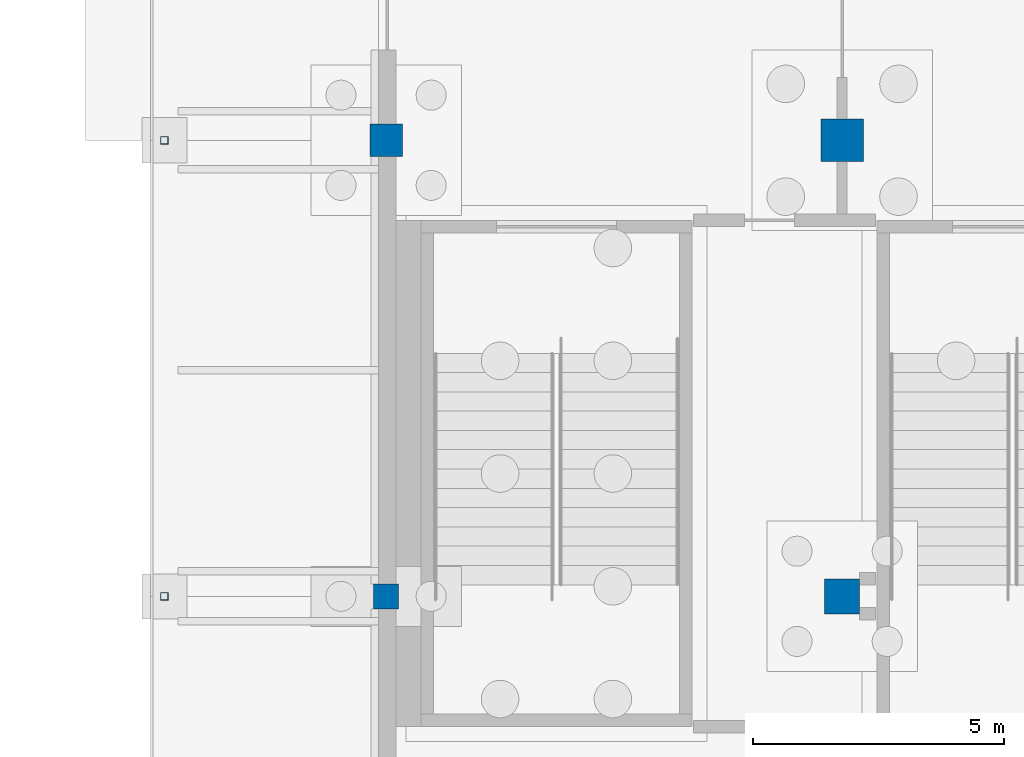
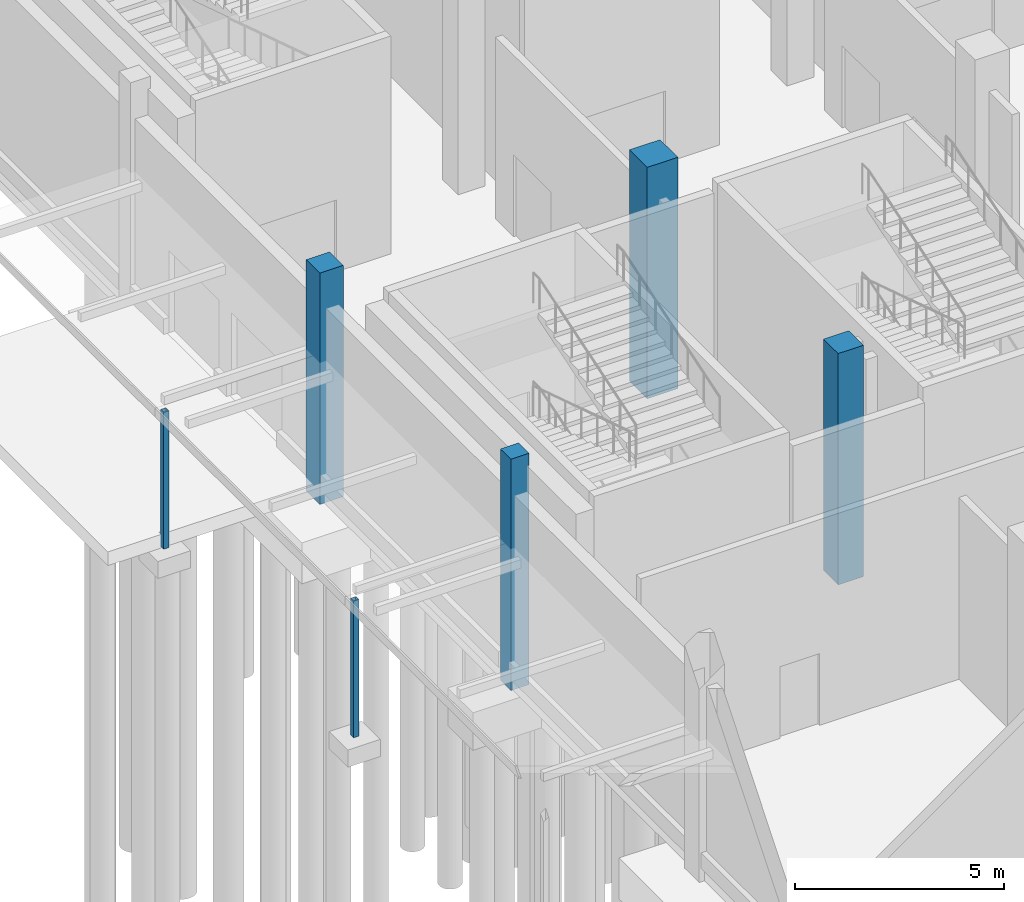
# One storey, part 24 of 129: 6 columns.
"""IFC4 building model written with IfcOpenShell, lengths in metres."""

from ifc_helpers import new_model, si_unit, direction, frame, origin, origin_2d, place, context, subcontext, project, spatial, rectangle, hollow_rectangle, extrude, material, material_profile, profile_set, type_object, element, save


model = new_model("IFC4")

# Units and contexts
model_context = context("Model", 3, precision=1e-05, world=origin(), true_north=direction((0.0, 1.0)))
body_context = subcontext(model_context, "Body", "Model", "MODEL_VIEW")
ifc_project = project(units=[si_unit("LENGTHUNIT", "METRE"), si_unit("AREAUNIT", "SQUARE_METRE"), si_unit("VOLUMEUNIT", "CUBIC_METRE"), si_unit("PLANEANGLEUNIT", "RADIAN"), si_unit("MASSUNIT", "GRAM", prefix="KILO")], contexts=[model_context])

# Site, building, storey
site_placement = place(None, origin())
site = spatial("IfcSite", under=ifc_project, at=site_placement, CompositionType="ELEMENT")
building_placement = place(site_placement, origin())
building = spatial("IfcBuilding", under=site, at=building_placement, Name="Shirokan Park Arena", CompositionType="ELEMENT")
storey_placement = place(building_placement, origin())
storey = spatial("IfcBuildingStorey", under=building, at=storey_placement, Name="L00", CompositionType="ELEMENT", Elevation=0.0)

# Columns
ifc_material_1 = material(Name="Concrete C35", Category="concrete")
ifc_material_profile_1 = material_profile(ifc_material_1, rectangle(XDim=0.5, YDim=0.5, at=origin_2d()), Name="500x500")
ifc_profile_set_1 = profile_set([ifc_material_profile_1], Name="Concrete C35")
column_type_1 = type_object("IfcColumnType", Name="RC column 500x500", PredefinedType="COLUMN", material=ifc_profile_set_1)
column_1_placement = place(storey_placement, frame((0.0, 81.89990234375, -0.39990234375), z_axis=(0.0, 0.0, 1.0), x_axis=(1.0, 0.0, 0.0)))
element("IfcColumn", 1, at=column_1_placement, inside=storey, type_object=column_type_1, Name="Column 1K L00", PredefinedType="COLUMN", context=body_context, shape_type="SweptSolid", body=[
    extrude(rectangle(XDim=0.5, YDim=0.5, at=origin_2d()), origin(), (0.0, 0.0, 1.0), 6.77001953125),
])
ifc_material_profile_2 = material_profile(ifc_material_1, rectangle(XDim=0.64990234375, YDim=0.64990234375, at=origin_2d()), Name="650x650")
ifc_profile_set_2 = profile_set([ifc_material_profile_2], Name="Concrete C35")
column_type_2 = type_object("IfcColumnType", Name="RC column 650x650", PredefinedType="COLUMN", material=ifc_profile_set_2)
column_2_placement = place(storey_placement, frame((0.0, 91.0, -0.39990234375), z_axis=(0.0, 0.0, 1.0), x_axis=(1.0, 0.0, 0.0)))
element("IfcColumn", 2, at=column_2_placement, inside=storey, type_object=column_type_2, Name="Column 1L L00", PredefinedType="COLUMN", context=body_context, shape_type="SweptSolid", body=[
    extrude(rectangle(XDim=0.64990234375, YDim=0.64990234375, at=origin_2d()), origin(), (0.0, 0.0, 1.0), 6.77001953125),
])
ifc_material_profile_3 = material_profile(ifc_material_1, rectangle(XDim=0.699951171875, YDim=0.699951171875, at=origin_2d()), Name="700x700")
ifc_profile_set_3 = profile_set([ifc_material_profile_3], Name="Concrete C35")
column_type_3 = type_object("IfcColumnType", Name="RC column 700x700", PredefinedType="COLUMN", material=ifc_profile_set_3)
column_3_placement = place(storey_placement, frame((9.10009765625, 81.89990234375, -0.39990234375), z_axis=(0.0, 0.0, 1.0), x_axis=(1.0, 0.0, 0.0)))
element("IfcColumn", 3, at=column_3_placement, inside=storey, type_object=column_type_3, Name="Column 2K L00", PredefinedType="COLUMN", context=body_context, shape_type="SweptSolid", body=[
    extrude(rectangle(XDim=0.699951171875, YDim=0.699951171875, at=origin_2d()), origin(), (0.0, 0.0, 1.0), 6.77001953125),
])
ifc_material_profile_4 = material_profile(ifc_material_1, rectangle(XDim=0.85009765625, YDim=0.85009765625, at=origin_2d()), Name="850x850")
ifc_profile_set_4 = profile_set([ifc_material_profile_4], Name="Concrete C35")
column_type_4 = type_object("IfcColumnType", Name="RC column 850x850", PredefinedType="COLUMN", material=ifc_profile_set_4)
column_4_placement = place(storey_placement, frame((9.10009765625, 91.0, -0.39990234375), z_axis=(0.0, 0.0, 1.0), x_axis=(1.0, 0.0, 0.0)))
element("IfcColumn", 4, at=column_4_placement, inside=storey, type_object=column_type_4, Name="Column 2L L00", PredefinedType="COLUMN", context=body_context, shape_type="SweptSolid", body=[
    extrude(rectangle(XDim=0.85009765625, YDim=0.85009765625, at=origin_2d()), origin(), (0.0, 0.0, 1.0), 6.77001953125),
])
ifc_material_2 = material(Name="Steel S355", Category="steel")
ifc_material_profile_5 = material_profile(ifc_material_2, hollow_rectangle(XDim=0.14990234375, YDim=0.14990234375, WallThickness=0.008056640625, at=origin_2d()), Name="RHS 150x150x8")
ifc_profile_set_5 = profile_set([ifc_material_profile_5], Name="Steel S355")
column_type_5 = type_object("IfcColumnType", Name="Steel post RHS 150x150x8", PredefinedType="COLUMN", material=ifc_profile_set_5)
for number, where, z_axis, x_axis, name in (
    (5, (-4.425048828125, 91.0, -0.39990234375), (0.0, 0.0, 1.0), (1.0, 0.0, 0.0), "Canopy post west grid 3"),
    (6, (-4.425048828125, 81.89990234375, -0.39990234375), (0.0, 0.0, 1.0), (1.0, 0.0, 0.0), "Canopy post west grid 4"),
):
    element("IfcColumn", number, at=place(storey_placement, frame(where, z_axis=z_axis, x_axis=x_axis)), inside=storey, type_object=column_type_5, Name=name, PredefinedType="COLUMN", context=body_context, shape_type="SweptSolid", body=[
        extrude(hollow_rectangle(XDim=0.14990234375, YDim=0.14990234375, WallThickness=0.008056640625, at=origin_2d()), origin(), (0.0, 0.0, 1.0), 4.0),
    ])

save(model, "model.ifc")
